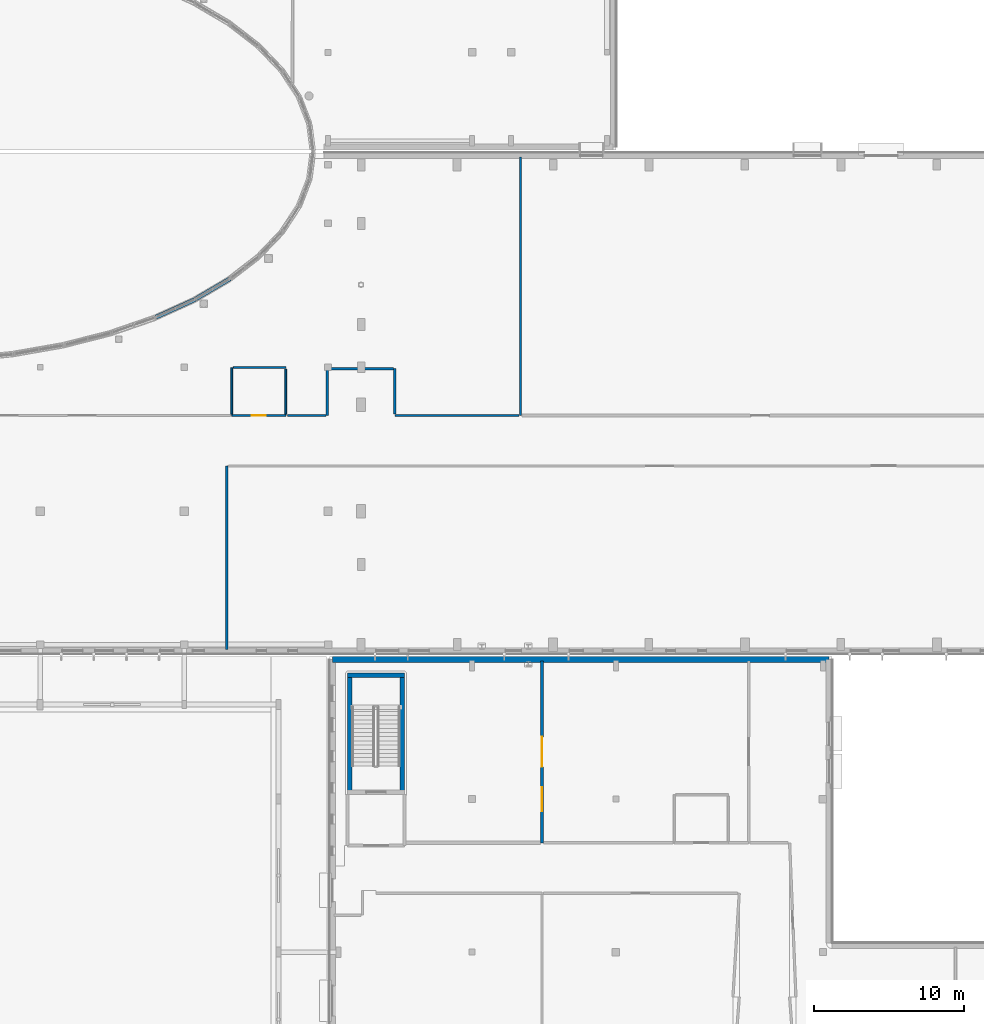
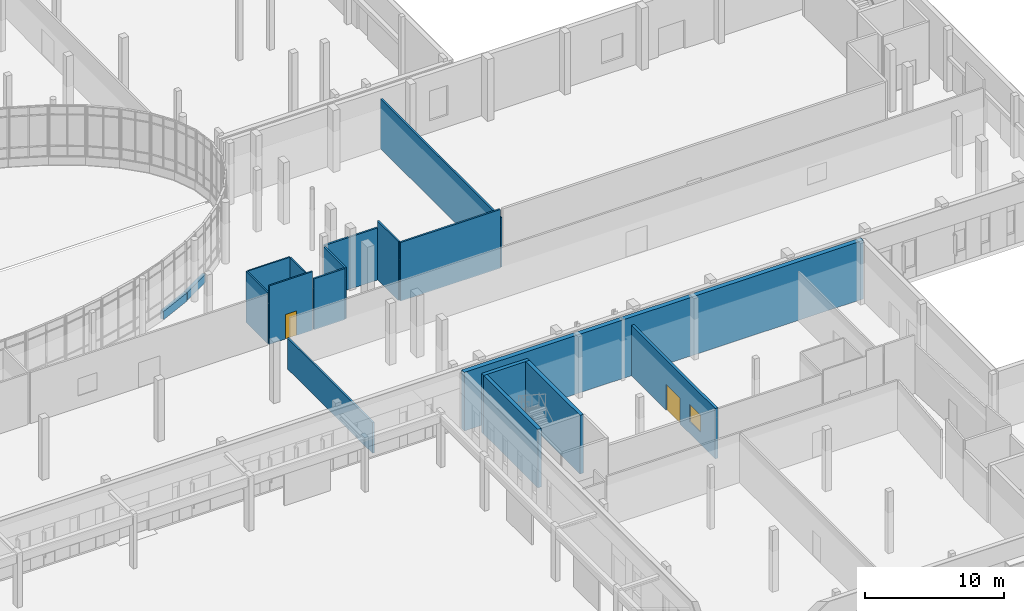
# One storey, part 45 of 84: 18 walls, 2 doors, 1 window, 3 openings.
"""IFC4 building model written with IfcOpenShell, lengths in metres."""

from ifc_helpers import new_model, si_unit, direction, frame, frame_2d, origin, place, context, subcontext, project, spatial, rectangle, extrude, material, layer, layer_set, type_object, element, fill, save


model = new_model("IFC4")

# Units and contexts
model_context = context("Model", 3, precision=1e-05, world=origin(), true_north=direction((0.0, 1.0)))
body_context = subcontext(model_context, "Body", "Model", "MODEL_VIEW")
ifc_project = project(units=[si_unit("LENGTHUNIT", "METRE"), si_unit("AREAUNIT", "SQUARE_METRE"), si_unit("VOLUMEUNIT", "CUBIC_METRE"), si_unit("PLANEANGLEUNIT", "RADIAN"), si_unit("MASSUNIT", "GRAM", prefix="KILO")], contexts=[model_context])

# Site, building, storey
site_placement = place(None, origin())
site = spatial("IfcSite", under=ifc_project, at=site_placement, CompositionType="ELEMENT")
building_placement = place(site_placement, origin())
building = spatial("IfcBuilding", under=site, at=building_placement, Name="Mzevani Central Library", CompositionType="ELEMENT")
storey_placement = place(building_placement, origin())
storey = spatial("IfcBuildingStorey", under=building, at=storey_placement, Name="L00", CompositionType="ELEMENT", Elevation=0.0)

# Wall, openings, door, window
ifc_material_1 = material(Name="Concrete blockwork masonry", Category="masonry")
ifc_layer_1 = layer(ifc_material_1, 0.219970703125, Name="Acoustic Auditorium Wall 220")
ifc_layer_set_1 = layer_set([ifc_layer_1], Name="Concrete blockwork masonry")
wall_type_1 = type_object("IfcWallType", Name="Acoustic Auditorium Wall 220", PredefinedType="STANDARD", material=ifc_layer_set_1)
wall_1_placement = place(storey_placement, frame((126.264892578125, 42.010009765625, 0.0), z_axis=(0.0, 0.0, 1.0), x_axis=(0.0, -1.0, 0.0)))
wall_1 = element("IfcWall", 1, at=wall_1_placement, inside=storey, type_object=wall_type_1, Name="L00 V6 Partition IW-05 (177)", PredefinedType="STANDARD", context=body_context, shape_type="SweptSolid", body=[
    extrude(rectangle(XDim=12.130126953125, YDim=0.219970703125, at=frame_2d((6.06494140625, 0.0))), origin(), (0.0, 0.0, 1.0), 4.419921875),
])
opening_1_placement = place(wall_1_placement, frame((5.06494140625, 0.0, 0.0)))
opening_1 = element("IfcOpeningElement", 2, at=opening_1_placement, cuts=wall_1, Name="Opening FD-07", PredefinedType="OPENING", context=body_context, shape_type="SweptSolid", body=[
    extrude(rectangle(XDim=2.0, YDim=2.25, at=frame_2d((1.0, 1.125))), frame((0.0, 0.1201171875, 0.0), z_axis=(0.0, -1.0, 0.0), x_axis=(1.0, 0.0, 0.0)), (0.0, 0.0, 1.0), 0.239990234375),
])
opening_2_placement = place(wall_1_placement, frame((8.418701171875, 0.0, 1.050048828125)))
opening_2 = element("IfcOpeningElement", 3, at=opening_2_placement, cuts=wall_1, Name="Opening IW-W01", PredefinedType="OPENING", context=body_context, shape_type="SweptSolid", body=[
    extrude(rectangle(XDim=1.60009765625, YDim=1.5, at=frame_2d((0.800048828125, 0.75))), frame((0.0, 0.1201171875, 0.0), z_axis=(0.0, -1.0, 0.0), x_axis=(1.0, 0.0, 0.0)), (0.0, 0.0, 1.0), 0.239990234375),
])
ifc_material_2 = material(Name="Fire-rated steel door assembly", Category="steel")
door_type_1 = type_object("IfcDoorType", Name="Fire Auditorium Exit Door 2000x2250", OperationType="NOTDEFINED", PredefinedType="DOOR", material=ifc_material_2)
door_1_placement = place(opening_1_placement, origin())
door_1 = element("IfcDoor", 4, at=door_1_placement, inside=storey, type_object=door_type_1, Name="L00 Storytelling Amphitheatre Door", OperationType="DOUBLE_DOOR_SINGLE_SWING", OverallHeight=2.25, OverallWidth=2.0, PredefinedType="DOOR", context=body_context, shape_type="SweptSolid", body=[
    extrude(rectangle(XDim=2.0, YDim=2.25, at=frame_2d((1.0, 1.125))), frame((0.0, 0.02490234375, 0.0), z_axis=(0.0, -1.0, 0.0), x_axis=(1.0, 0.0, 0.0)), (0.0, 0.0, 1.0), 0.050048828125),
])
fill(opening_1, door_1)
ifc_material_3 = material(Name="Low-E triple glazing glass", Category="glass")
window_type = type_object("IfcWindowType", Name="Interior Borrowed Light 1600x1500", PartitioningType="SINGLE_PANEL", PredefinedType="WINDOW", material=ifc_material_3)
window_placement = place(opening_2_placement, origin())
window = element("IfcWindow", 5, at=window_placement, inside=storey, type_object=window_type, Name="L00 Youth Homework Commons Acoustic Borrowed Light", OverallHeight=1.5, OverallWidth=1.60009765625, PartitioningType="SINGLE_PANEL", PredefinedType="WINDOW", context=body_context, shape_type="SweptSolid", body=[
    extrude(rectangle(XDim=1.60009765625, YDim=1.5, at=frame_2d((0.800048828125, 0.75))), frame((0.0, 0.030029296875, 0.0), z_axis=(0.0, -1.0, 0.0), x_axis=(1.0, 0.0, 0.0)), (0.0, 0.0, 1.0), 0.06005859375),
])
fill(opening_2, window)

# Walls
ifc_material_4 = material(Name="Concrete C40/50", Category="concrete")
ifc_layer_2 = layer(ifc_material_4, 0.300048828125, Name="Core Shear Wall 300")
ifc_layer_set_2 = layer_set([ifc_layer_2], Name="Concrete C40/50")
wall_type_2 = type_object("IfcWallType", Name="Core Shear Wall 300", PredefinedType="SHEAR", material=ifc_layer_set_2)
wall_2_placement = place(storey_placement, frame((113.449951171875, 33.10009765625, 0.0), z_axis=(0.0, 0.0, 1.0), x_axis=(0.0, 1.0, 0.0)))
element("IfcWall", 6, at=wall_2_placement, inside=storey, type_object=wall_type_2, Name="L00 Core C6A Children's Pavilion North Stair Shear Wall (-x)", PredefinedType="SHEAR", context=body_context, shape_type="SweptSolid", body=[
    extrude(rectangle(XDim=8.099853515625, YDim=0.300048828125, at=frame_2d((4.0498046875, 0.0))), origin(), (0.0, 0.0, 1.0), 5.139892578125),
])
wall_3_placement = place(storey_placement, frame((113.300048828125, 41.050048828125, 0.0), z_axis=(0.0, 0.0, 1.0), x_axis=(1.0, 0.0, 0.0)))
element("IfcWall", 7, at=wall_3_placement, inside=storey, type_object=wall_type_2, Name="L00 Core C6A Children's Pavilion North Stair Shear Wall (+y)", PredefinedType="SHEAR", context=body_context, shape_type="SweptSolid", body=[
    extrude(rectangle(XDim=3.800048828125, YDim=0.300048828125, at=frame_2d((1.89990234375, 0.0))), origin(), (0.0, 0.0, 1.0), 5.139892578125),
])
wall_4_placement = place(storey_placement, frame((116.949951171875, 41.199951171875, 0.0), z_axis=(0.0, 0.0, 1.0), x_axis=(0.0, -1.0, 0.0)))
element("IfcWall", 8, at=wall_4_placement, inside=storey, type_object=wall_type_2, Name="L00 Core C6A Children's Pavilion North Stair Shear Wall (+x)", PredefinedType="SHEAR", context=body_context, shape_type="SweptSolid", body=[
    extrude(rectangle(XDim=8.099853515625, YDim=0.300048828125, at=frame_2d((4.0498046875, 0.0))), origin(), (0.0, 0.0, 1.0), 5.139892578125),
])
ifc_material_5 = material(Name="Precast concrete C40/50", Category="concrete")
ifc_layer_3 = layer(ifc_material_5, 0.280029296875, Name="Court Spandrel Wall 280")
ifc_layer_set_3 = layer_set([ifc_layer_3], Name="Precast concrete C40/50")
wall_type_3 = type_object("IfcWallType", Name="Court Spandrel Wall 280", PredefinedType="STANDARD", material=ifc_layer_set_3)
wall_5_placement = place(storey_placement, frame((100.50439453125, 64.930419921875, 0.0), z_axis=(0.0, 0.0, 1.0), x_axis=(0.911231648639, 0.411894261333, 0.0)))
element("IfcWall", 9, at=wall_5_placement, inside=storey, type_object=wall_type_3, Name="L00 Elliptical Court Spandrel 42", PredefinedType="STANDARD", context=body_context, shape_type="SweptSolid", body=[
    extrude(rectangle(XDim=2.892578125, YDim=0.280029296875, at=frame_2d((1.4462890625, 0.0))), origin(), (0.0, 0.0, 1.0), 0.719970703125),
])
wall_6_placement = place(storey_placement, frame((103.15087890625, 66.142578125, 0.0), z_axis=(0.0, 0.0, 1.0), x_axis=(0.862149496171, 0.506653970923, 0.0)))
element("IfcWall", 10, at=wall_6_placement, inside=storey, type_object=wall_type_3, Name="L00 Elliptical Court Spandrel 43", PredefinedType="STANDARD", context=body_context, shape_type="SweptSolid", body=[
    extrude(rectangle(XDim=2.68115234375, YDim=0.280029296875, at=frame_2d((1.340576171875, 0.0))), origin(), (0.0, 0.0, 1.0), 0.719970703125),
])
ifc_layer_4 = layer(ifc_material_5, 0.3798828125, Name="Exterior Thermal Concrete Wall 380")
ifc_layer_set_4 = layer_set([ifc_layer_4], Name="Precast concrete C40/50")
wall_type_4 = type_object("IfcWallType", Name="Exterior Thermal Concrete Wall 380", PredefinedType="STANDARD", material=ifc_layer_set_4)
wall_7_placement = place(storey_placement, frame((112.2900390625, 42.110107421875, 0.0), z_axis=(0.0, 0.0, 1.0), x_axis=(1.0, 0.0, 0.0)))
element("IfcWall", 11, at=wall_7_placement, inside=storey, type_object=wall_type_4, Name="L00 V6 Exterior Thermal Wall (103)", PredefinedType="STANDARD", context=body_context, shape_type="SweptSolid", body=[
    extrude(rectangle(XDim=33.119873046875, YDim=0.3798828125, at=frame_2d((16.56005859375, 0.0))), origin(), (0.0, 0.0, 1.0), 5.139892578125),
])

# Wall, opening, door
ifc_material_6 = material(Name="Fire-rated gypsum board", Category="gypsum")
ifc_layer_5 = layer(ifc_material_6, 0.1201171875, Name="Partition Acoustic 120")
ifc_layer_set_5 = layer_set([ifc_layer_5], Name="Fire-rated gypsum board")
wall_type_5 = type_object("IfcWallType", Name="Partition Acoustic 120", PredefinedType="PARTITIONING", material=ifc_layer_set_5)
wall_8_placement = place(storey_placement, frame((109.179931640625, 58.3798828125, 0.0), z_axis=(0.0, 0.0, 1.0), x_axis=(-1.0, 0.0, 0.0)))
wall_8 = element("IfcWall", 12, at=wall_8_placement, inside=storey, type_object=wall_type_5, Name="L00 V1 Partition IW-02 (71)", PredefinedType="PARTITIONING", context=body_context, shape_type="SweptSolid", body=[
    extrude(rectangle(XDim=3.599853515625, YDim=0.1201171875, at=frame_2d((1.7998046875, 0.0))), origin(), (0.0, 0.0, 1.0), 5.139892578125),
])
opening_3_placement = place(wall_8_placement, frame((1.324951171875, 0.0, 0.0)))
opening_3 = element("IfcOpeningElement", 13, at=opening_3_placement, cuts=wall_8, Name="Opening ID-02", PredefinedType="OPENING", context=body_context, shape_type="SweptSolid", body=[
    extrude(rectangle(XDim=0.949951171875, YDim=2.14990234375, at=frame_2d((0.47509765625, 1.074951171875))), frame((0.0, 0.070068359375, 0.0), z_axis=(0.0, -1.0, 0.0), x_axis=(1.0, 0.0, 0.0)), (0.0, 0.0, 1.0), 0.14013671875),
])
ifc_material_7 = material(Name="Fire-rated solid oak leaf")
door_type_2 = type_object("IfcDoorType", Name="Accessible WC Door 950x2150", OperationType="NOTDEFINED", PredefinedType="DOOR", material=ifc_material_7)
door_2_placement = place(opening_3_placement, origin())
door_2 = element("IfcDoor", 14, at=door_2_placement, inside=storey, type_object=door_type_2, Name="L00 Accessible WC and Public Toilet V1 Door", OperationType="SINGLE_SWING_RIGHT", OverallHeight=2.14990234375, OverallWidth=0.949951171875, PredefinedType="DOOR", context=body_context, shape_type="SweptSolid", body=[
    extrude(rectangle(XDim=0.949951171875, YDim=2.14990234375, at=frame_2d((0.47509765625, 1.074951171875))), frame((0.0, 0.02490234375, 0.0), z_axis=(0.0, -1.0, 0.0), x_axis=(1.0, 0.0, 0.0)), (0.0, 0.0, 1.0), 0.050048828125),
])
fill(opening_3, door_2)

# Walls
wall_9_placement = place(storey_placement, frame((105.580078125, 58.47998046875, 0.0), z_axis=(0.0, 0.0, 1.0), x_axis=(0.0, 1.0, 0.0)))
element("IfcWall", 15, at=wall_9_placement, inside=storey, type_object=wall_type_5, Name="L00 V1 Partition IW-02 (72)", PredefinedType="PARTITIONING", context=body_context, shape_type="SweptSolid", body=[
    extrude(rectangle(XDim=3.10009765625, YDim=0.1201171875, at=frame_2d((1.550048828125, 0.0))), origin(), (0.0, 0.0, 1.0), 4.469970703125),
])
wall_10_placement = place(storey_placement, frame((105.679931640625, 61.580078125, 0.0), z_axis=(0.0, 0.0, 1.0), x_axis=(1.0, 0.0, 0.0)))
element("IfcWall", 16, at=wall_10_placement, inside=storey, type_object=wall_type_5, Name="L00 V1 Partition IW-02 (73)", PredefinedType="PARTITIONING", context=body_context, shape_type="SweptSolid", body=[
    extrude(rectangle(XDim=3.5, YDim=0.1201171875, at=frame_2d((1.75, 0.0))), origin(), (0.0, 0.0, 1.0), 4.469970703125),
])
wall_11_placement = place(storey_placement, frame((109.179931640625, 61.47998046875, 0.0), z_axis=(0.0, 0.0, 1.0), x_axis=(0.0, -1.0, 0.0)))
element("IfcWall", 17, at=wall_11_placement, inside=storey, type_object=wall_type_5, Name="L00 V1 Partition IW-02 (74)", PredefinedType="PARTITIONING", context=body_context, shape_type="SweptSolid", body=[
    extrude(rectangle(XDim=3.0, YDim=0.1201171875, at=frame_2d((1.5, 0.0))), origin(), (0.0, 0.0, 1.0), 4.469970703125),
])
ifc_layer_6 = layer(ifc_material_6, 0.14990234375, Name="Partition Study 150")
ifc_layer_set_6 = layer_set([ifc_layer_6], Name="Fire-rated gypsum board")
wall_type_6 = type_object("IfcWallType", Name="Partition Study 150", PredefinedType="PARTITIONING", material=ifc_layer_set_6)
wall_12_placement = place(storey_placement, frame((105.25, 42.7900390625, 0.0), z_axis=(0.0, 0.0, 1.0), x_axis=(0.0, 1.0, 0.0)))
element("IfcWall", 18, at=wall_12_placement, inside=storey, type_object=wall_type_6, Name="L00 V1 Partition IW-03 (76)", PredefinedType="PARTITIONING", context=body_context, shape_type="SweptSolid", body=[
    extrude(rectangle(XDim=12.22998046875, YDim=0.14990234375, at=frame_2d((6.114990234375, 0.0))), origin(), (0.0, 0.0, 1.0), 2.715087890625),
])
wall_13_placement = place(storey_placement, frame((124.840087890625, 75.610107421875, 0.0), z_axis=(0.0, 0.0, 1.0), x_axis=(0.0, -1.0, 0.0)))
element("IfcWall", 19, at=wall_13_placement, inside=storey, type_object=wall_type_6, Name="L00 V1 Partition IW-03 (83)", PredefinedType="PARTITIONING", context=body_context, shape_type="SweptSolid", body=[
    extrude(rectangle(XDim=17.230224609375, YDim=0.14990234375, at=frame_2d((8.615234375, 0.0))), origin(), (0.0, 0.0, 1.0), 4.3701171875),
])
wall_14_placement = place(storey_placement, frame((124.739990234375, 58.3798828125, 0.0), z_axis=(0.0, 0.0, 1.0), x_axis=(-1.0, 0.0, 0.0)))
element("IfcWall", 20, at=wall_14_placement, inside=storey, type_object=wall_type_6, Name="L00 V1 Partition IW-03 (84)", PredefinedType="PARTITIONING", context=body_context, shape_type="SweptSolid", body=[
    extrude(rectangle(XDim=8.2900390625, YDim=0.14990234375, at=frame_2d((4.14501953125, 0.0))), origin(), (0.0, 0.0, 1.0), 5.139892578125),
])
wall_15_placement = place(storey_placement, frame((116.449951171875, 58.47998046875, 0.0), z_axis=(0.0, 0.0, 1.0), x_axis=(0.0, 1.0, 0.0)))
element("IfcWall", 21, at=wall_15_placement, inside=storey, type_object=wall_type_6, Name="L00 V1 Partition IW-03 (85)", PredefinedType="PARTITIONING", context=body_context, shape_type="SweptSolid", body=[
    extrude(rectangle(XDim=3.02001953125, YDim=0.14990234375, at=frame_2d((1.510009765625, 0.0))), origin(), (0.0, 0.0, 1.0), 5.139892578125),
])
wall_16_placement = place(storey_placement, frame((116.35009765625, 61.5, 0.0), z_axis=(0.0, 0.0, 1.0), x_axis=(-1.0, 0.0, 0.0)))
element("IfcWall", 22, at=wall_16_placement, inside=storey, type_object=wall_type_6, Name="L00 V1 Partition IW-03 (86)", PredefinedType="PARTITIONING", context=body_context, shape_type="SweptSolid", body=[
    extrude(rectangle(XDim=4.400146484375, YDim=0.14990234375, at=frame_2d((2.2001953125, 0.0))), origin(), (0.0, 0.0, 1.0), 4.570068359375),
])
wall_17_placement = place(storey_placement, frame((111.949951171875, 61.39990234375, 0.0), z_axis=(0.0, 0.0, 1.0), x_axis=(0.0, -1.0, 0.0)))
element("IfcWall", 23, at=wall_17_placement, inside=storey, type_object=wall_type_6, Name="L00 V1 Partition IW-03 (87)", PredefinedType="PARTITIONING", context=body_context, shape_type="SweptSolid", body=[
    extrude(rectangle(XDim=3.02001953125, YDim=0.14990234375, at=frame_2d((1.510009765625, 0.0))), origin(), (0.0, 0.0, 1.0), 4.469970703125),
])
wall_18_placement = place(storey_placement, frame((111.85009765625, 58.3798828125, 0.0), z_axis=(0.0, 0.0, 1.0), x_axis=(-1.0, 0.0, 0.0)))
element("IfcWall", 24, at=wall_18_placement, inside=storey, type_object=wall_type_6, Name="L00 V1 Partition IW-03 (88)", PredefinedType="PARTITIONING", context=body_context, shape_type="SweptSolid", body=[
    extrude(rectangle(XDim=2.570068359375, YDim=0.14990234375, at=frame_2d((1.28515625, 0.0))), origin(), (0.0, 0.0, 1.0), 4.469970703125),
])

save(model, "model.ifc")
